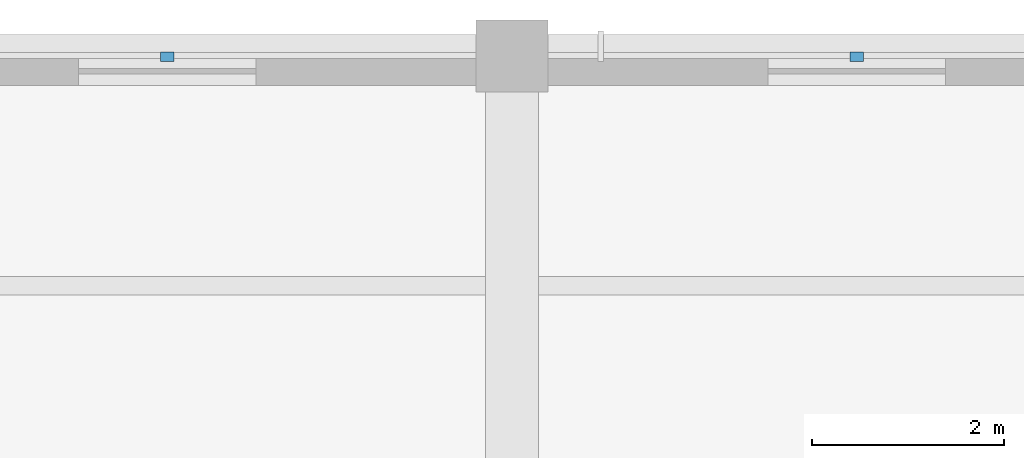
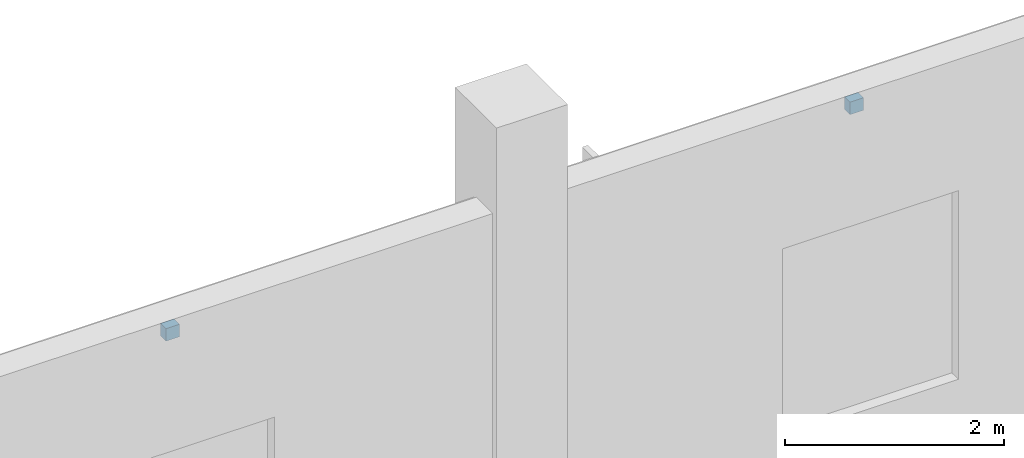
# One storey, part 118 of 137: 2 discrete accessories.
"""IFC4 building model written with IfcOpenShell, lengths in metres."""

from ifc_helpers import new_model, si_unit, direction, frame, origin, origin_2d, place, context, subcontext, project, spatial, rectangle, extrude, material, type_object, element, save


model = new_model("IFC4")

# Units and contexts
model_context = context("Model", 3, precision=1e-05, world=origin(), true_north=direction((0.0, 1.0)))
body_context = subcontext(model_context, "Body", "Model", "MODEL_VIEW")
ifc_project = project(units=[si_unit("LENGTHUNIT", "METRE"), si_unit("AREAUNIT", "SQUARE_METRE"), si_unit("VOLUMEUNIT", "CUBIC_METRE"), si_unit("PLANEANGLEUNIT", "RADIAN"), si_unit("MASSUNIT", "GRAM", prefix="KILO")], contexts=[model_context])

# Site, building, storey
site_placement = place(None, origin())
site = spatial("IfcSite", under=ifc_project, at=site_placement, CompositionType="ELEMENT")
building_placement = place(site_placement, origin())
building = spatial("IfcBuilding", under=site, at=building_placement, Name="Kalmorath City Hall", CompositionType="ELEMENT")
storey_placement = place(building_placement, origin())
storey = spatial("IfcBuildingStorey", under=building, at=storey_placement, Name="L00", CompositionType="ELEMENT", Elevation=0.0)

# Discrete accessories
ifc_material = material(Name="Stainless steel Grade 316", Category="steel")
discrete_accessory_type = type_object("IfcDiscreteAccessoryType", Name="Stainless rainscreen support bracket", PredefinedType="BRACKET", material=ifc_material)
for number, where, z_axis, x_axis, name in (
    (1, (111.60009765625, 115.18994140625, 3.9912109375), (0.0, 0.0, 1.0), (1.0, 0.0, 0.0), "L00 basalt anchor bracket #12"),
    (2, (118.800048828125, 115.18994140625, 3.9912109375), (0.0, 0.0, 1.0), (1.0, 0.0, 0.0), "L00 basalt anchor bracket #13"),
):
    element("IfcDiscreteAccessory", number, at=place(storey_placement, frame(where, z_axis=z_axis, x_axis=x_axis)), inside=storey, type_object=discrete_accessory_type, Name=name, PredefinedType="BRACKET", context=body_context, shape_type="SweptSolid", body=[
        extrude(rectangle(XDim=0.139892578125, YDim=0.10009765625, at=origin_2d()), origin(), (0.0, 0.0, 1.0), 0.139892578125),
    ])

save(model, "model.ifc")
